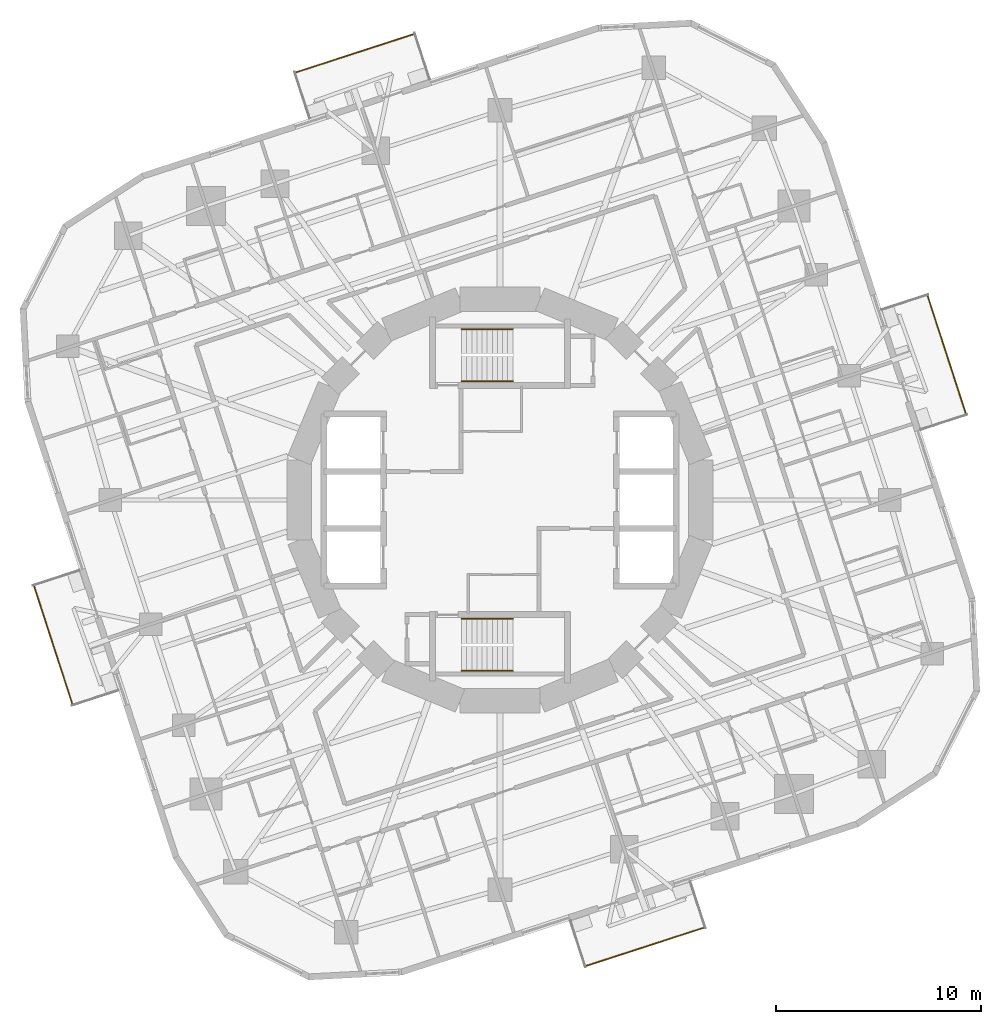
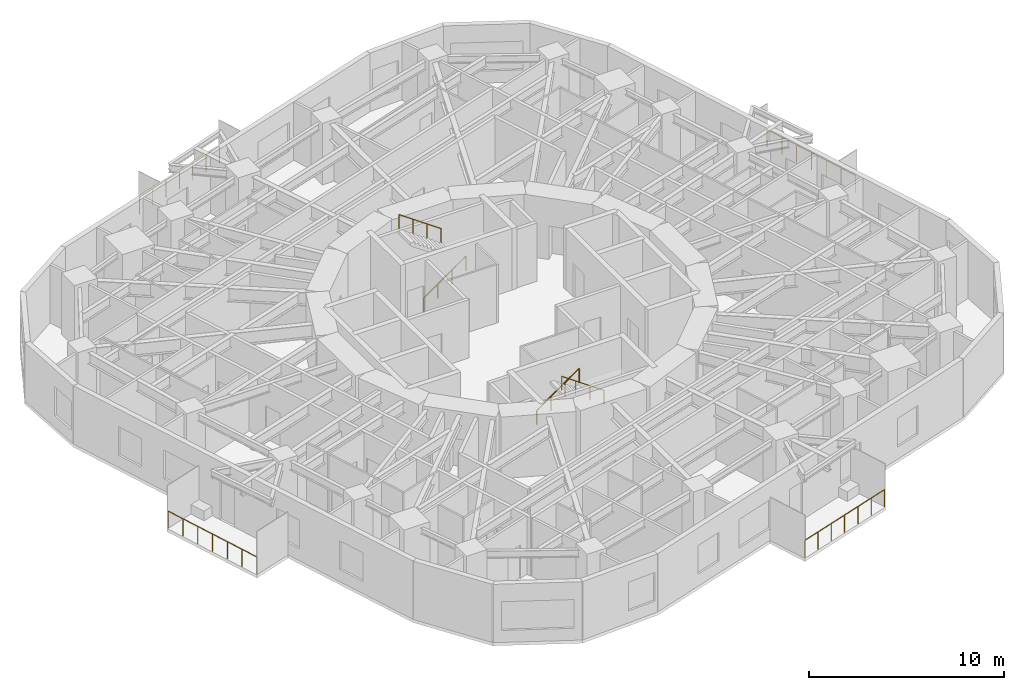
# One storey, part 11 of 12: 8 railings.
"""IFC4 building model written with IfcOpenShell, lengths in metres."""

from ifc_helpers import new_model, si_unit, direction, frame, origin, origin_2d, place, context, subcontext, project, spatial, circle, extrude, material, type_object, element, save


model = new_model("IFC4")

# Units and contexts
model_context = context("Model", 3, precision=1e-05, world=origin(), true_north=direction((0.0, 1.0)))
body_context = subcontext(model_context, "Body", "Model", "MODEL_VIEW")
ifc_project = project(units=[si_unit("LENGTHUNIT", "METRE"), si_unit("AREAUNIT", "SQUARE_METRE"), si_unit("VOLUMEUNIT", "CUBIC_METRE"), si_unit("PLANEANGLEUNIT", "RADIAN"), si_unit("MASSUNIT", "GRAM", prefix="KILO")], contexts=[model_context])

# Site, building, storey
site_placement = place(None, origin())
site = spatial("IfcSite", under=ifc_project, at=site_placement, CompositionType="ELEMENT")
building_placement = place(site_placement, origin())
building = spatial("IfcBuilding", under=site, at=building_placement, Name="Nakasero Lantern House", CompositionType="ELEMENT")
storey_placement = place(building_placement, frame((0.0, 0.0, 153.35009765625)))
storey = spatial("IfcBuildingStorey", under=building, at=storey_placement, Name="L37", CompositionType="ELEMENT", Elevation=153.35009765625)

# Railings
ifc_material_1 = material(Name="Aluminium 6063-T6", Category="aluminium")
railing_type_1 = type_object("IfcRailingType", Name="Balcony guard 1100", PredefinedType="BALUSTRADE", material=ifc_material_1)
railing_1_placement = place(storey_placement, frame((22.7724609375, 4.181640625, 0.0)))
element("IfcRailing", 1, at=railing_1_placement, inside=storey, type_object=railing_type_1, Name="Balcony guard L37 BAL0", PredefinedType="BALUSTRADE", context=body_context, shape_type="SweptSolid", body=[
    extrude(circle(Radius=0.02392578125, at=origin_2d()), frame((0.0, 0.0, 1.076171875), z_axis=(-0.309038265471, 0.951049604634, 0.0), x_axis=(-0.951049604634, -0.309038265471, 0.0)), (0.0, 0.0, 1.0), 6.1201171875),
    extrude(circle(Radius=0.02099609375, at=origin_2d()), origin(), (0.0, 0.0, 1.0), 1.052001953125),
    extrude(circle(Radius=0.02099609375, at=origin_2d()), frame((-0.315185546875, 0.97021484375, 0.0)), (0.0, 0.0, 1.0), 1.052001953125),
    extrude(circle(Radius=0.02099609375, at=origin_2d()), frame((-0.63037109375, 1.940185546875, 0.0)), (0.0, 0.0, 1.0), 1.052001953125),
    extrude(circle(Radius=0.02099609375, at=origin_2d()), frame((-0.94580078125, 2.91015625, 0.0)), (0.0, 0.0, 1.0), 1.052001953125),
    extrude(circle(Radius=0.02099609375, at=origin_2d()), frame((-1.260986328125, 3.88037109375, 0.0)), (0.0, 0.0, 1.0), 1.052001953125),
    extrude(circle(Radius=0.02099609375, at=origin_2d()), frame((-1.576171875, 4.8505859375, 0.0)), (0.0, 0.0, 1.0), 1.052001953125),
    extrude(circle(Radius=0.02099609375, at=origin_2d()), frame((-1.891357421875, 5.820556640625, 0.0)), (0.0, 0.0, 1.0), 1.052001953125),
])
railing_2_placement = place(storey_placement, frame((-4.181640625, 22.7724609375, 0.0)))
element("IfcRailing", 2, at=railing_2_placement, inside=storey, type_object=railing_type_1, Name="Balcony guard L37 BAL1", PredefinedType="BALUSTRADE", context=body_context, shape_type="SweptSolid", body=[
    extrude(circle(Radius=0.02392578125, at=origin_2d()), frame((0.0, 0.0, 1.076171875), z_axis=(-0.951049604634, -0.309038265471, 0.0), x_axis=(0.309038265471, -0.951049604634, 0.0)), (0.0, 0.0, 1.0), 6.1201171875),
    extrude(circle(Radius=0.02099609375, at=origin_2d()), origin(), (0.0, 0.0, 1.0), 1.052001953125),
    extrude(circle(Radius=0.02099609375, at=origin_2d()), frame((-0.97021484375, -0.315185546875, 0.0)), (0.0, 0.0, 1.0), 1.052001953125),
    extrude(circle(Radius=0.02099609375, at=origin_2d()), frame((-1.940185546875, -0.63037109375, 0.0)), (0.0, 0.0, 1.0), 1.052001953125),
    extrude(circle(Radius=0.02099609375, at=origin_2d()), frame((-2.91015625, -0.94580078125, 0.0)), (0.0, 0.0, 1.0), 1.052001953125),
    extrude(circle(Radius=0.02099609375, at=origin_2d()), frame((-3.88037109375, -1.260986328125, 0.0)), (0.0, 0.0, 1.0), 1.052001953125),
    extrude(circle(Radius=0.02099609375, at=origin_2d()), frame((-4.8505859375, -1.576171875, 0.0)), (0.0, 0.0, 1.0), 1.052001953125),
    extrude(circle(Radius=0.02099609375, at=origin_2d()), frame((-5.820556640625, -1.891357421875, 0.0)), (0.0, 0.0, 1.0), 1.052001953125),
])
railing_3_placement = place(storey_placement, frame((-22.7724609375, -4.181640625, 0.0)))
element("IfcRailing", 3, at=railing_3_placement, inside=storey, type_object=railing_type_1, Name="Balcony guard L37 BAL2", PredefinedType="BALUSTRADE", context=body_context, shape_type="SweptSolid", body=[
    extrude(circle(Radius=0.02392578125, at=origin_2d()), frame((0.0, 0.0, 1.076171875), z_axis=(0.309038265471, -0.951049604634, 0.0), x_axis=(0.951049604634, 0.309038265471, 0.0)), (0.0, 0.0, 1.0), 6.1201171875),
    extrude(circle(Radius=0.02099609375, at=origin_2d()), origin(), (0.0, 0.0, 1.0), 1.052001953125),
    extrude(circle(Radius=0.02099609375, at=origin_2d()), frame((0.315185546875, -0.97021484375, 0.0)), (0.0, 0.0, 1.0), 1.052001953125),
    extrude(circle(Radius=0.02099609375, at=origin_2d()), frame((0.63037109375, -1.940185546875, 0.0)), (0.0, 0.0, 1.0), 1.052001953125),
    extrude(circle(Radius=0.02099609375, at=origin_2d()), frame((0.94580078125, -2.91015625, 0.0)), (0.0, 0.0, 1.0), 1.052001953125),
    extrude(circle(Radius=0.02099609375, at=origin_2d()), frame((1.260986328125, -3.88037109375, 0.0)), (0.0, 0.0, 1.0), 1.052001953125),
    extrude(circle(Radius=0.02099609375, at=origin_2d()), frame((1.576171875, -4.8505859375, 0.0)), (0.0, 0.0, 1.0), 1.052001953125),
    extrude(circle(Radius=0.02099609375, at=origin_2d()), frame((1.891357421875, -5.820556640625, 0.0)), (0.0, 0.0, 1.0), 1.052001953125),
])
railing_4_placement = place(storey_placement, frame((4.181640625, -22.7724609375, 0.0)))
element("IfcRailing", 4, at=railing_4_placement, inside=storey, type_object=railing_type_1, Name="Balcony guard L37 BAL3", PredefinedType="BALUSTRADE", context=body_context, shape_type="SweptSolid", body=[
    extrude(circle(Radius=0.02392578125, at=origin_2d()), frame((0.0, 0.0, 1.076171875), z_axis=(0.951049604634, 0.309038265471, 0.0), x_axis=(-0.309038265471, 0.951049604634, 0.0)), (0.0, 0.0, 1.0), 6.1201171875),
    extrude(circle(Radius=0.02099609375, at=origin_2d()), origin(), (0.0, 0.0, 1.0), 1.052001953125),
    extrude(circle(Radius=0.02099609375, at=origin_2d()), frame((0.97021484375, 0.315185546875, 0.0)), (0.0, 0.0, 1.0), 1.052001953125),
    extrude(circle(Radius=0.02099609375, at=origin_2d()), frame((1.940185546875, 0.63037109375, 0.0)), (0.0, 0.0, 1.0), 1.052001953125),
    extrude(circle(Radius=0.02099609375, at=origin_2d()), frame((2.91015625, 0.94580078125, 0.0)), (0.0, 0.0, 1.0), 1.052001953125),
    extrude(circle(Radius=0.02099609375, at=origin_2d()), frame((3.88037109375, 1.260986328125, 0.0)), (0.0, 0.0, 1.0), 1.052001953125),
    extrude(circle(Radius=0.02099609375, at=origin_2d()), frame((4.8505859375, 1.576171875, 0.0)), (0.0, 0.0, 1.0), 1.052001953125),
    extrude(circle(Radius=0.02099609375, at=origin_2d()), frame((5.820556640625, 1.891357421875, 0.0)), (0.0, 0.0, 1.0), 1.052001953125),
])
ifc_material_2 = material(Name="Stainless steel 316", Category="steel")
railing_type_2 = type_object("IfcRailingType", Name="Stair handrail 900", PredefinedType="HANDRAIL", material=ifc_material_2)
railing_5_placement = place(storey_placement, frame((-1.875, 5.800048828125, 0.1748046875)))
element("IfcRailing", 5, at=railing_5_placement, inside=storey, type_object=railing_type_2, Name="Handrail ST1 L37 flight 1", PredefinedType="HANDRAIL", context=body_context, shape_type="SweptSolid", body=[
    extrude(circle(Radius=0.02392578125, at=origin_2d()), frame((0.0, 0.0, 0.8759765625), z_axis=(0.819231920519, 0.0, 0.573462344363), x_axis=(0.0, 1.0, 0.0)), (0.0, 0.0, 1.0), 3.0517578125),
    extrude(circle(Radius=0.02099609375, at=origin_2d()), origin(), (0.0, 0.0, 1.0), 0.851806640625),
    extrude(circle(Radius=0.02099609375, at=origin_2d()), frame((0.833251953125, 0.0, 0.583251953125)), (0.0, 0.0, 1.0), 0.851806640625),
    extrude(circle(Radius=0.02099609375, at=origin_2d()), frame((1.666748046875, 0.0, 1.166748046875)), (0.0, 0.0, 1.0), 0.851806640625),
    extrude(circle(Radius=0.02099609375, at=origin_2d()), frame((2.5, 0.0, 1.75)), (0.0, 0.0, 1.0), 0.851806640625),
])
railing_6_placement = place(storey_placement, frame((0.625, 8.35009765625, 2.099853515625)))
element("IfcRailing", 6, at=railing_6_placement, inside=storey, type_object=railing_type_2, Name="Handrail ST1 L37 flight 2", PredefinedType="HANDRAIL", context=body_context, shape_type="SweptSolid", body=[
    extrude(circle(Radius=0.02392578125, at=origin_2d()), frame((0.0, 0.0, 0.8759765625), z_axis=(-0.819231920519, 0.0, 0.573462344363), x_axis=(0.0, -1.0, 0.0)), (0.0, 0.0, 1.0), 3.0517578125),
    extrude(circle(Radius=0.02099609375, at=origin_2d()), origin(), (0.0, 0.0, 1.0), 0.851806640625),
    extrude(circle(Radius=0.02099609375, at=origin_2d()), frame((-0.833251953125, 0.0, 0.583251953125)), (0.0, 0.0, 1.0), 0.851806640625),
    extrude(circle(Radius=0.02099609375, at=origin_2d()), frame((-1.666748046875, 0.0, 1.166748046875)), (0.0, 0.0, 1.0), 0.851806640625),
    extrude(circle(Radius=0.02099609375, at=origin_2d()), frame((-2.5, 0.0, 1.75)), (0.0, 0.0, 1.0), 0.851806640625),
])
railing_7_placement = place(storey_placement, frame((-1.875, -5.800048828125, 0.1748046875)))
element("IfcRailing", 7, at=railing_7_placement, inside=storey, type_object=railing_type_2, Name="Handrail ST2 L37 flight 1", PredefinedType="HANDRAIL", context=body_context, shape_type="SweptSolid", body=[
    extrude(circle(Radius=0.02392578125, at=origin_2d()), frame((0.0, 0.0, 0.8759765625), z_axis=(0.819231920519, 0.0, 0.573462344363), x_axis=(0.0, 1.0, 0.0)), (0.0, 0.0, 1.0), 3.0517578125),
    extrude(circle(Radius=0.02099609375, at=origin_2d()), origin(), (0.0, 0.0, 1.0), 0.851806640625),
    extrude(circle(Radius=0.02099609375, at=origin_2d()), frame((0.833251953125, 0.0, 0.583251953125)), (0.0, 0.0, 1.0), 0.851806640625),
    extrude(circle(Radius=0.02099609375, at=origin_2d()), frame((1.666748046875, 0.0, 1.166748046875)), (0.0, 0.0, 1.0), 0.851806640625),
    extrude(circle(Radius=0.02099609375, at=origin_2d()), frame((2.5, 0.0, 1.75)), (0.0, 0.0, 1.0), 0.851806640625),
])
railing_8_placement = place(storey_placement, frame((0.625, -8.35009765625, 2.099853515625)))
element("IfcRailing", 8, at=railing_8_placement, inside=storey, type_object=railing_type_2, Name="Handrail ST2 L37 flight 2", PredefinedType="HANDRAIL", context=body_context, shape_type="SweptSolid", body=[
    extrude(circle(Radius=0.02392578125, at=origin_2d()), frame((0.0, 0.0, 0.8759765625), z_axis=(-0.819231920519, 0.0, 0.573462344363), x_axis=(0.0, -1.0, 0.0)), (0.0, 0.0, 1.0), 3.0517578125),
    extrude(circle(Radius=0.02099609375, at=origin_2d()), origin(), (0.0, 0.0, 1.0), 0.851806640625),
    extrude(circle(Radius=0.02099609375, at=origin_2d()), frame((-0.833251953125, 0.0, 0.583251953125)), (0.0, 0.0, 1.0), 0.851806640625),
    extrude(circle(Radius=0.02099609375, at=origin_2d()), frame((-1.666748046875, 0.0, 1.166748046875)), (0.0, 0.0, 1.0), 0.851806640625),
    extrude(circle(Radius=0.02099609375, at=origin_2d()), frame((-2.5, 0.0, 1.75)), (0.0, 0.0, 1.0), 0.851806640625),
])

save(model, "model.ifc")
